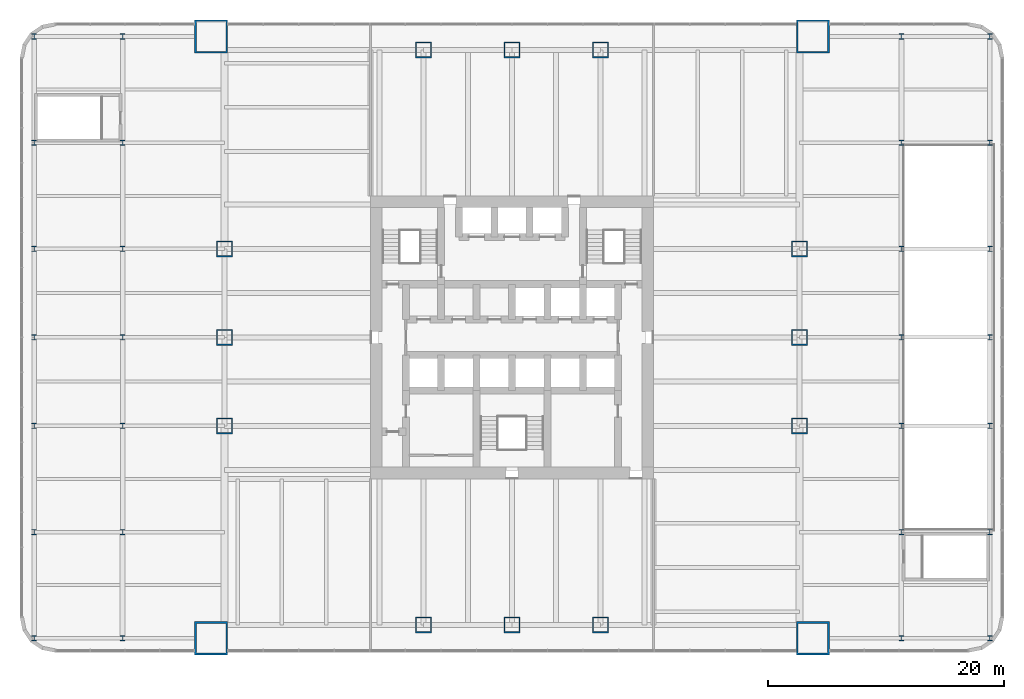
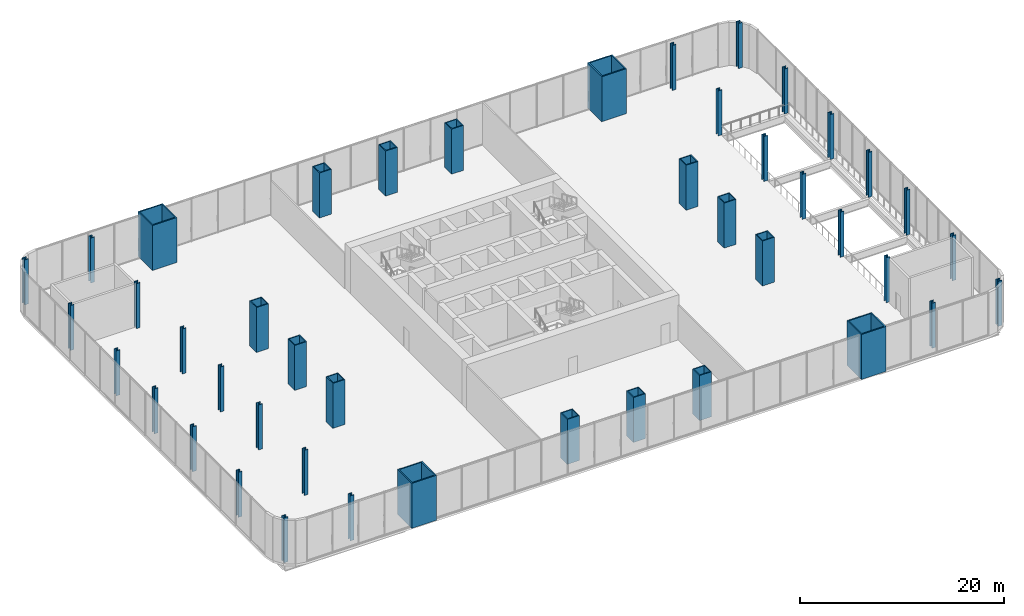
# One storey, part 1 of 17: 44 columns.
"""IFC4 building model written with IfcOpenShell, lengths in metres."""

from ifc_helpers import new_model, si_unit, direction, frame, origin, origin_2d, place, context, subcontext, project, spatial, hollow_rectangle, i_section, extrude, material, material_profile, profile_set, type_object, element, save


model = new_model("IFC4")

# Units and contexts
model_context = context("Model", 3, precision=1e-05, world=origin(), true_north=direction((0.0, 1.0)))
body_context = subcontext(model_context, "Body", "Model", "MODEL_VIEW")
ifc_project = project(units=[si_unit("LENGTHUNIT", "METRE"), si_unit("AREAUNIT", "SQUARE_METRE"), si_unit("VOLUMEUNIT", "CUBIC_METRE"), si_unit("PLANEANGLEUNIT", "RADIAN"), si_unit("MASSUNIT", "GRAM", prefix="KILO")], contexts=[model_context])

# Site, building, storey
site_placement = place(None, origin())
site = spatial("IfcSite", under=ifc_project, at=site_placement, CompositionType="ELEMENT")
building_placement = place(site_placement, origin())
building = spatial("IfcBuilding", under=site, at=building_placement, Name="Tarangal Relay Tower", CompositionType="ELEMENT")
storey_placement = place(building_placement, frame((0.0, 0.0, 18.0)))
storey = spatial("IfcBuildingStorey", under=building, at=storey_placement, Name="L03", CompositionType="ELEMENT", Elevation=18.0)

# Columns
ifc_material_1 = material(Name="Steel ASTM A572 Grade 42", Category="steel")
ifc_material_profile_1 = material_profile(ifc_material_1, hollow_rectangle(XDim=2.800048828125, YDim=2.800048828125, WallThickness=0.139892578125, at=origin_2d()), Name="BOX2800X2800X140")
ifc_profile_set_1 = profile_set([ifc_material_profile_1], Name="Steel ASTM A572 Grade 42")
column_type_1 = type_object("IfcColumnType", Name="Mega column BOX2800X2800X140", PredefinedType="COLUMN", material=ifc_profile_set_1)
for number, where, z_axis, x_axis, name in (
    (1, (25.5, 25.5, 0.0), (0.0, 0.0, 1.0), (1.0, 0.0, 0.0), "Mega column MC1 NE L03"),
    (2, (25.5, -25.5, 0.0), (0.0, 0.0, 1.0), (1.0, 0.0, 0.0), "Mega column MC1 SE L03"),
    (3, (-25.5, -25.5, 0.0), (0.0, 0.0, 1.0), (1.0, 0.0, 0.0), "Mega column MC1 SW L03"),
    (4, (-25.5, 25.5, 0.0), (0.0, 0.0, 1.0), (1.0, 0.0, 0.0), "Mega column MC1 NW L03"),
):
    element("IfcColumn", number, at=place(storey_placement, frame(where, z_axis=z_axis, x_axis=x_axis)), inside=storey, type_object=column_type_1, Name=name, PredefinedType="COLUMN", context=body_context, shape_type="SweptSolid", body=[
        extrude(hollow_rectangle(XDim=2.800048828125, YDim=2.800048828125, WallThickness=0.139892578125, at=origin_2d()), origin(), (0.0, 0.0, 1.0), 5.39990234375),
    ])
ifc_material_2 = material(Name="Steel ASTM A572 Grade 50", Category="steel")
ifc_material_profile_2 = material_profile(ifc_material_2, hollow_rectangle(XDim=1.35009765625, YDim=1.35009765625, WallThickness=0.10009765625, at=origin_2d()), Name="BOX1350X1350X100")
ifc_profile_set_2 = profile_set([ifc_material_profile_2], Name="Steel ASTM A572 Grade 50")
column_type_2 = type_object("IfcColumnType", Name="Perimeter column BOX1350X1350X100", PredefinedType="COLUMN", material=ifc_profile_set_2)
for number, where, z_axis, x_axis, name in (
    (5, (-7.5, 24.364990234375, 0.0), (0.0, 0.0, 1.0), (1.0, 0.0, 0.0), "Perimeter column PC1 N L03"),
    (6, (0.0, 24.364990234375, 0.0), (0.0, 0.0, 1.0), (1.0, 0.0, 0.0), "Perimeter column PC1 N L03"),
    (7, (7.5, 24.364990234375, 0.0), (0.0, 0.0, 1.0), (1.0, 0.0, 0.0), "Perimeter column PC1 N L03"),
    (8, (24.364990234375, 7.5, 0.0), (0.0, 0.0, 1.0), (1.0, 0.0, 0.0), "Perimeter column PC1 E L03"),
    (9, (24.364990234375, 0.0, 0.0), (0.0, 0.0, 1.0), (1.0, 0.0, 0.0), "Perimeter column PC1 E L03"),
    (10, (24.364990234375, -7.5, 0.0), (0.0, 0.0, 1.0), (1.0, 0.0, 0.0), "Perimeter column PC1 E L03"),
    (11, (7.5, -24.364990234375, 0.0), (0.0, 0.0, 1.0), (1.0, 0.0, 0.0), "Perimeter column PC1 S L03"),
    (12, (0.0, -24.364990234375, 0.0), (0.0, 0.0, 1.0), (1.0, 0.0, 0.0), "Perimeter column PC1 S L03"),
    (13, (-7.5, -24.364990234375, 0.0), (0.0, 0.0, 1.0), (1.0, 0.0, 0.0), "Perimeter column PC1 S L03"),
    (14, (-24.364990234375, -7.5, 0.0), (0.0, 0.0, 1.0), (1.0, 0.0, 0.0), "Perimeter column PC1 W L03"),
    (15, (-24.364990234375, 0.0, 0.0), (0.0, 0.0, 1.0), (1.0, 0.0, 0.0), "Perimeter column PC1 W L03"),
    (16, (-24.364990234375, 7.5, 0.0), (0.0, 0.0, 1.0), (1.0, 0.0, 0.0), "Perimeter column PC1 W L03"),
):
    element("IfcColumn", number, at=place(storey_placement, frame(where, z_axis=z_axis, x_axis=x_axis)), inside=storey, type_object=column_type_2, Name=name, PredefinedType="COLUMN", context=body_context, shape_type="SweptSolid", body=[
        extrude(hollow_rectangle(XDim=1.35009765625, YDim=1.35009765625, WallThickness=0.10009765625, at=origin_2d()), origin(), (0.0, 0.0, 1.0), 5.39990234375),
    ])
ifc_material_3 = material(Name="Steel ASTM A992", Category="steel")
ifc_material_profile_3 = material_profile(ifc_material_3, i_section(OverallWidth=0.42431640625, OverallDepth=0.47509765625, WebThickness=0.0478515625, FlangeThickness=0.0771484375, at=origin_2d()), Name="W14X426")
ifc_profile_set_3 = profile_set([ifc_material_profile_3], Name="Steel ASTM A992")
column_type_3 = type_object("IfcColumnType", Name="Podium column W14X426", PredefinedType="COLUMN", material=ifc_profile_set_3)
for number, where, z_axis, x_axis, name in (
    (17, (-33.0, -25.5, 0.0), (0.0, 0.0, 1.0), (1.0, 0.0, 0.0), "Podium column PW1 L03"),
    (18, (-33.0, -16.5, 0.0), (0.0, 0.0, 1.0), (1.0, 0.0, 0.0), "Podium column PW1 L03"),
    (19, (-33.0, -7.5, 0.0), (0.0, 0.0, 1.0), (1.0, 0.0, 0.0), "Podium column PW1 L03"),
    (20, (-33.0, 0.0, 0.0), (0.0, 0.0, 1.0), (1.0, 0.0, 0.0), "Podium column PW1 L03"),
    (21, (-33.0, 7.5, 0.0), (0.0, 0.0, 1.0), (1.0, 0.0, 0.0), "Podium column PW1 L03"),
    (22, (-33.0, 16.5, 0.0), (0.0, 0.0, 1.0), (1.0, 0.0, 0.0), "Podium column PW1 L03"),
    (23, (-33.0, 25.5, 0.0), (0.0, 0.0, 1.0), (1.0, 0.0, 0.0), "Podium column PW1 L03"),
    (24, (-40.5, -25.5, 0.0), (0.0, 0.0, 1.0), (1.0, 0.0, 0.0), "Podium column PW1 L03"),
    (25, (-40.5, -16.5, 0.0), (0.0, 0.0, 1.0), (1.0, 0.0, 0.0), "Podium column PW1 L03"),
    (26, (-40.5, -7.5, 0.0), (0.0, 0.0, 1.0), (1.0, 0.0, 0.0), "Podium column PW1 L03"),
    (27, (-40.5, 0.0, 0.0), (0.0, 0.0, 1.0), (1.0, 0.0, 0.0), "Podium column PW1 L03"),
    (28, (-40.5, 7.5, 0.0), (0.0, 0.0, 1.0), (1.0, 0.0, 0.0), "Podium column PW1 L03"),
    (29, (-40.5, 16.5, 0.0), (0.0, 0.0, 1.0), (1.0, 0.0, 0.0), "Podium column PW1 L03"),
    (30, (-40.5, 25.5, 0.0), (0.0, 0.0, 1.0), (1.0, 0.0, 0.0), "Podium column PW1 L03"),
    (31, (33.0, -25.5, 0.0), (0.0, 0.0, 1.0), (1.0, 0.0, 0.0), "Podium column PW1 L03"),
    (32, (33.0, -16.5, 0.0), (0.0, 0.0, 1.0), (1.0, 0.0, 0.0), "Podium column PW1 L03"),
    (33, (33.0, -7.5, 0.0), (0.0, 0.0, 1.0), (1.0, 0.0, 0.0), "Podium column PW1 L03"),
    (34, (33.0, 0.0, 0.0), (0.0, 0.0, 1.0), (1.0, 0.0, 0.0), "Podium column PW1 L03"),
    (35, (33.0, 7.5, 0.0), (0.0, 0.0, 1.0), (1.0, 0.0, 0.0), "Podium column PW1 L03"),
    (36, (33.0, 16.5, 0.0), (0.0, 0.0, 1.0), (1.0, 0.0, 0.0), "Podium column PW1 L03"),
    (37, (33.0, 25.5, 0.0), (0.0, 0.0, 1.0), (1.0, 0.0, 0.0), "Podium column PW1 L03"),
    (38, (40.5, -25.5, 0.0), (0.0, 0.0, 1.0), (1.0, 0.0, 0.0), "Podium column PW1 L03"),
    (39, (40.5, -16.5, 0.0), (0.0, 0.0, 1.0), (1.0, 0.0, 0.0), "Podium column PW1 L03"),
    (40, (40.5, -7.5, 0.0), (0.0, 0.0, 1.0), (1.0, 0.0, 0.0), "Podium column PW1 L03"),
    (41, (40.5, 0.0, 0.0), (0.0, 0.0, 1.0), (1.0, 0.0, 0.0), "Podium column PW1 L03"),
    (42, (40.5, 7.5, 0.0), (0.0, 0.0, 1.0), (1.0, 0.0, 0.0), "Podium column PW1 L03"),
    (43, (40.5, 16.5, 0.0), (0.0, 0.0, 1.0), (1.0, 0.0, 0.0), "Podium column PW1 L03"),
    (44, (40.5, 25.5, 0.0), (0.0, 0.0, 1.0), (1.0, 0.0, 0.0), "Podium column PW1 L03"),
):
    element("IfcColumn", number, at=place(storey_placement, frame(where, z_axis=z_axis, x_axis=x_axis)), inside=storey, type_object=column_type_3, Name=name, PredefinedType="COLUMN", context=body_context, shape_type="SweptSolid", body=[
        extrude(i_section(OverallWidth=0.42431640625, OverallDepth=0.47509765625, WebThickness=0.0478515625, FlangeThickness=0.0771484375, at=origin_2d()), origin(), (0.0, 0.0, 1.0), 5.39990234375),
    ])

save(model, "model.ifc")
